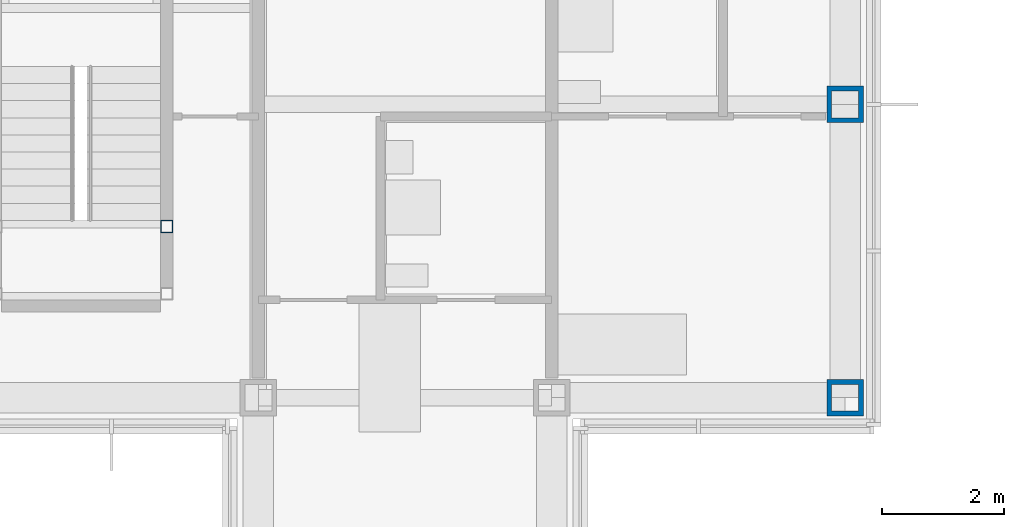
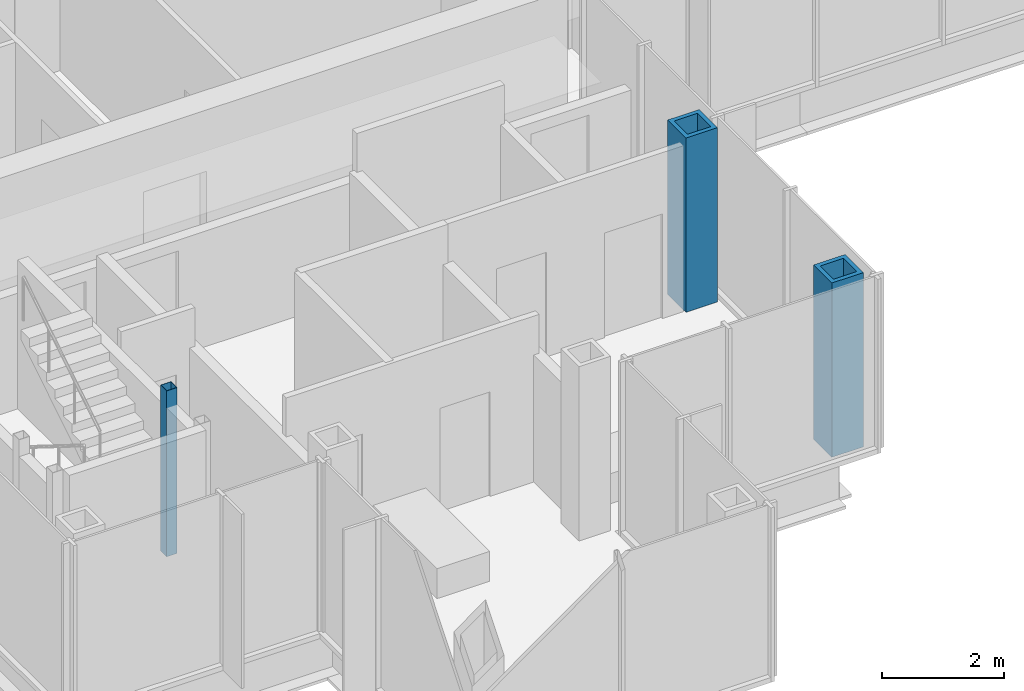
# One storey, part 2 of 17: 3 columns.
"""IFC4 building model written with IfcOpenShell, lengths in metres."""

from ifc_helpers import new_model, si_unit, direction, frame, origin, origin_2d, place, context, subcontext, project, spatial, hollow_rectangle, extrude, material, material_profile, profile_set, type_object, element, save


model = new_model("IFC4")

# Units and contexts
model_context = context("Model", 3, precision=1e-05, world=origin(), true_north=direction((0.0, 1.0)))
body_context = subcontext(model_context, "Body", "Model", "MODEL_VIEW")
ifc_project = project(units=[si_unit("LENGTHUNIT", "METRE"), si_unit("AREAUNIT", "SQUARE_METRE"), si_unit("VOLUMEUNIT", "CUBIC_METRE"), si_unit("PLANEANGLEUNIT", "RADIAN"), si_unit("MASSUNIT", "GRAM", prefix="KILO")], contexts=[model_context])

# Site, building, storey
site_placement = place(None, origin())
site = spatial("IfcSite", under=ifc_project, at=site_placement, CompositionType="ELEMENT")
building_placement = place(site_placement, origin())
building = spatial("IfcBuilding", under=site, at=building_placement, Name="Kvirike Care Tower", CompositionType="ELEMENT")
storey_placement = place(building_placement, frame((0.0, 0.0, 183.0)))
storey = spatial("IfcBuildingStorey", under=building, at=storey_placement, Name="L50", CompositionType="ELEMENT", Elevation=183.0)

# Columns
ifc_material_1 = material(Name="Steel S460", Category="steel")
ifc_material_profile_1 = material_profile(ifc_material_1, hollow_rectangle(XDim=0.60009765625, YDim=0.60009765625, WallThickness=0.080078125, at=origin_2d()), Name="BX 600x600x80")
ifc_profile_set_1 = profile_set([ifc_material_profile_1], Name="Steel S460")
column_type_1 = type_object("IfcColumnType", Name="COLUMN BX 600x600x80", PredefinedType="COLUMN", material=ifc_profile_set_1)
for number, where, z_axis, x_axis, name in (
    (1, (28.800048828125, 19.199951171875, 0.0), (0.0, 0.0, 1.0), (0.0, 1.0, 0.0), "Column E9 L50"),
    (2, (28.800048828125, 24.0, 0.0), (0.0, 0.0, 1.0), (1.0, 0.0, 0.0), "Column F9 L50"),
):
    element("IfcColumn", number, at=place(storey_placement, frame(where, z_axis=z_axis, x_axis=x_axis)), inside=storey, type_object=column_type_1, Name=name, PredefinedType="COLUMN", context=body_context, shape_type="SweptSolid", body=[
        extrude(hollow_rectangle(XDim=0.60009765625, YDim=0.60009765625, WallThickness=0.080078125, at=origin_2d()), origin(), (0.0, 0.0, 1.0), 3.5),
    ])
ifc_material_2 = material(Name="Steel S460", Category="steel")
ifc_material_profile_2 = material_profile(ifc_material_2, hollow_rectangle(XDim=0.199951171875, YDim=0.199951171875, WallThickness=0.008056640625, at=origin_2d()), Name="SHS 200x200x8")
ifc_profile_set_2 = profile_set([ifc_material_profile_2], Name="Steel S460")
column_type_2 = type_object("IfcColumnType", Name="STAIR POST SHS 200x200x8", PredefinedType="COLUMN", material=ifc_profile_set_2)
column_placement = place(storey_placement, frame((17.699951171875, 22.0, 0.0), z_axis=(0.0, 0.0, 1.0), x_axis=(1.0, 0.0, 0.0)))
element("IfcColumn", 3, at=column_placement, inside=storey, type_object=column_type_2, Name="Stair 5 post 4 L50", PredefinedType="COLUMN", context=body_context, shape_type="SweptSolid", body=[
    extrude(hollow_rectangle(XDim=0.199951171875, YDim=0.199951171875, WallThickness=0.008056640625, at=origin_2d()), origin(), (0.0, 0.0, 1.0), 3.330078125),
])

save(model, "model.ifc")
